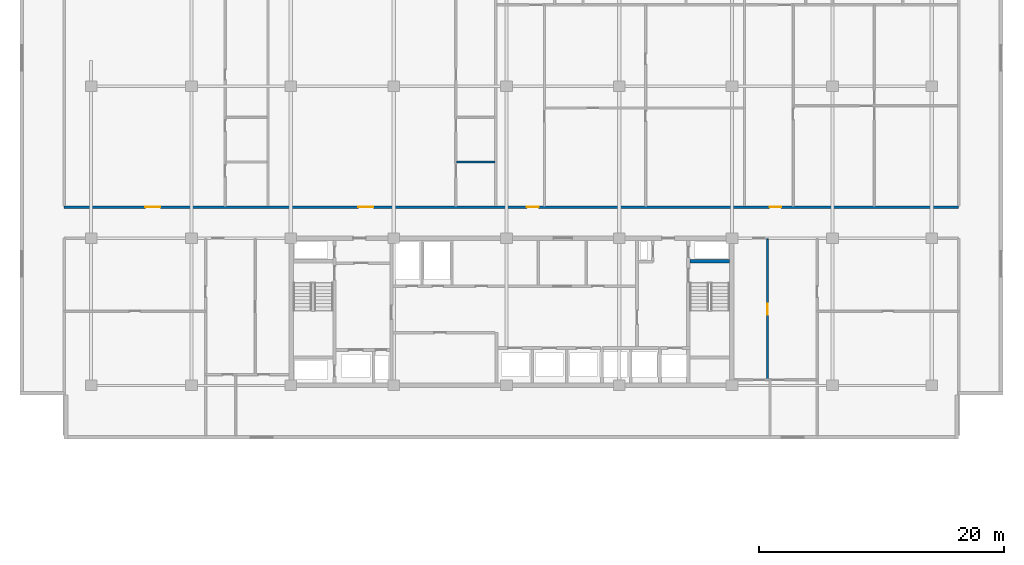
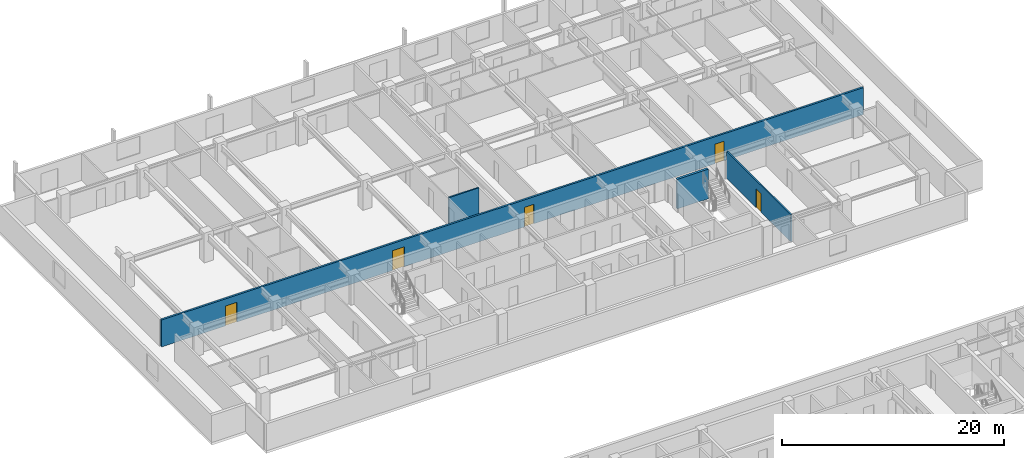
# One storey, part 13 of 22: 5 doors, 4 walls, 5 openings.
"""IFC4 building model written with IfcOpenShell, lengths in metres."""

from ifc_helpers import new_model, si_unit, direction, frame, frame_2d, origin, place, context, subcontext, project, spatial, rectangle, extrude, material, layer, layer_set, type_object, element, fill, save


model = new_model("IFC4")

# Units and contexts
model_context = context("Model", 3, precision=1e-05, world=origin(), true_north=direction((0.0, 1.0)))
body_context = subcontext(model_context, "Body", "Model", "MODEL_VIEW")
ifc_project = project(units=[si_unit("LENGTHUNIT", "METRE"), si_unit("AREAUNIT", "SQUARE_METRE"), si_unit("VOLUMEUNIT", "CUBIC_METRE"), si_unit("PLANEANGLEUNIT", "RADIAN"), si_unit("MASSUNIT", "GRAM", prefix="KILO")], contexts=[model_context])

# Site, building, storey
site_placement = place(None, origin())
site = spatial("IfcSite", under=ifc_project, at=site_placement, CompositionType="ELEMENT")
building_placement = place(site_placement, origin())
building = spatial("IfcBuilding", under=site, at=building_placement, Name="Korimba Cascade Residences", CompositionType="ELEMENT")
storey_placement = place(building_placement, frame((0.0, 0.0, 126.300048828125)))
storey = spatial("IfcBuildingStorey", under=building, at=storey_placement, Name="L36", CompositionType="ELEMENT", Elevation=126.300048828125)

# Wall, openings, doors
ifc_material_1 = material(Name="Precast concrete C40/50", Category="concrete")
ifc_layer_1 = layer(ifc_material_1, 0.199951171875)
ifc_layer_set_1 = layer_set([ifc_layer_1], Name="Precast concrete C40/50")
wall_type_1 = type_object("IfcWallType", Name="WAL-IT-200", PredefinedType="PARTITIONING", material=ifc_layer_set_1)
wall_1_placement = place(storey_placement, frame((57.60009765625, 69.75, 0.0), z_axis=(0.0, 0.0, 1.0), x_axis=(1.0, 0.0, 0.0)))
wall_1 = element("IfcWall", 1, at=wall_1_placement, inside=storey, type_object=wall_type_1, Name="L36 Partition Wall WAL-L36-T1-CORN", PredefinedType="PARTITIONING", context=body_context, shape_type="SweptSolid", body=[
    extrude(rectangle(XDim=73.0, YDim=0.199951171875, at=frame_2d((36.5, 0.0))), origin(), (0.0, 0.0, 1.0), 2.969970703125),
])
opening_1_placement = place(wall_1_placement, frame((6.628662109375, 0.0, 0.0)))
opening_1 = element("IfcOpeningElement", 2, at=opening_1_placement, cuts=wall_1, Name="Opening D-AM1", PredefinedType="OPENING", context=body_context, shape_type="SweptSolid", body=[
    extrude(rectangle(XDim=1.219970703125, YDim=2.179931640625, at=frame_2d((0.60986328125, 1.08984375))), frame((0.0, 0.10986328125, 0.0), z_axis=(0.0, -1.0, 0.0), x_axis=(1.0, 0.0, 0.0)), (0.0, 0.0, 1.0), 0.219970703125),
])
opening_2_placement = place(wall_1_placement, frame((24.022216796875, 0.0, 0.0)))
opening_2 = element("IfcOpeningElement", 3, at=opening_2_placement, cuts=wall_1, Name="Opening D-AM1", PredefinedType="OPENING", context=body_context, shape_type="SweptSolid", body=[
    extrude(rectangle(XDim=1.219970703125, YDim=2.179931640625, at=frame_2d((0.60986328125, 1.08984375))), frame((0.0, 0.10986328125, 0.0), z_axis=(0.0, -1.0, 0.0), x_axis=(1.0, 0.0, 0.0)), (0.0, 0.0, 1.0), 0.219970703125),
])
opening_3_placement = place(wall_1_placement, frame((37.767578125, 0.0, 0.0)))
opening_3 = element("IfcOpeningElement", 4, at=opening_3_placement, cuts=wall_1, Name="Opening D-UN1", PredefinedType="OPENING", context=body_context, shape_type="SweptSolid", body=[
    extrude(rectangle(XDim=0.949951171875, YDim=2.14990234375, at=frame_2d((0.47509765625, 1.074951171875))), frame((0.0, 0.10986328125, 0.0), z_axis=(0.0, -1.0, 0.0), x_axis=(1.0, 0.0, 0.0)), (0.0, 0.0, 1.0), 0.219970703125),
])
opening_4_placement = place(wall_1_placement, frame((57.570068359375, 0.0, 0.0)))
opening_4 = element("IfcOpeningElement", 5, at=opening_4_placement, cuts=wall_1, Name="Opening D-UN1", PredefinedType="OPENING", context=body_context, shape_type="SweptSolid", body=[
    extrude(rectangle(XDim=0.949951171875, YDim=2.14990234375, at=frame_2d((0.47509765625, 1.074951171875))), frame((0.0, 0.10986328125, 0.0), z_axis=(0.0, -1.0, 0.0), x_axis=(1.0, 0.0, 0.0)), (0.0, 0.0, 1.0), 0.219970703125),
])
ifc_material_2 = material(Name="Fire-Rated Glazed Timber Suite Door", Category="wood")
door_type_1 = type_object("IfcDoorType", Name="DR-FD60-1200", OperationType="NOTDEFINED", PredefinedType="DOOR", material=ifc_material_2)
door_1_placement = place(opening_1_placement, origin())
door_1 = element("IfcDoor", 6, at=door_1_placement, inside=storey, type_object=door_type_1, Name="L36-T1-U01 Business Collaboration Office Door", OperationType="SINGLE_SWING_LEFT", OverallHeight=2.179931640625, OverallWidth=1.219970703125, PredefinedType="DOOR", context=body_context, shape_type="SweptSolid", body=[
    extrude(rectangle(XDim=1.219970703125, YDim=2.179931640625, at=frame_2d((0.60986328125, 1.08984375))), frame((0.0, 0.02490234375, 0.0), z_axis=(0.0, -1.0, 0.0), x_axis=(1.0, 0.0, 0.0)), (0.0, 0.0, 1.0), 0.050048828125),
])
fill(opening_1, door_1)
door_2_placement = place(opening_2_placement, origin())
door_2 = element("IfcDoor", 7, at=door_2_placement, inside=storey, type_object=door_type_1, Name="L36-T1-U02 Resident Conference Room Door", OperationType="SINGLE_SWING_RIGHT", OverallHeight=2.179931640625, OverallWidth=1.219970703125, PredefinedType="DOOR", context=body_context, shape_type="SweptSolid", body=[
    extrude(rectangle(XDim=1.219970703125, YDim=2.179931640625, at=frame_2d((0.60986328125, 1.08984375))), frame((0.0, 0.02490234375, 0.0), z_axis=(0.0, -1.0, 0.0), x_axis=(1.0, 0.0, 0.0)), (0.0, 0.0, 1.0), 0.050048828125),
])
fill(opening_2, door_2)
ifc_material_3 = material(Name="Fire-Rated Hardwood Apartment Entrance Door", Category="wood")
door_type_2 = type_object("IfcDoorType", Name="DR-FD60-950", OperationType="NOTDEFINED", PredefinedType="DOOR", material=ifc_material_3)
door_3_placement = place(opening_3_placement, origin())
door_3 = element("IfcDoor", 8, at=door_3_placement, inside=storey, type_object=door_type_2, Name="Unit L36-T1-U03 Entrance Door", OperationType="SINGLE_SWING_LEFT", OverallHeight=2.14990234375, OverallWidth=0.949951171875, PredefinedType="DOOR", context=body_context, shape_type="SweptSolid", body=[
    extrude(rectangle(XDim=0.949951171875, YDim=2.14990234375, at=frame_2d((0.47509765625, 1.074951171875))), frame((0.0, 0.02490234375, 0.0), z_axis=(0.0, -1.0, 0.0), x_axis=(1.0, 0.0, 0.0)), (0.0, 0.0, 1.0), 0.050048828125),
])
fill(opening_3, door_3)
door_4_placement = place(opening_4_placement, origin())
door_4 = element("IfcDoor", 9, at=door_4_placement, inside=storey, type_object=door_type_2, Name="Unit L36-T1-U04 Entrance Door", OperationType="SINGLE_SWING_RIGHT", OverallHeight=2.14990234375, OverallWidth=0.949951171875, PredefinedType="DOOR", context=body_context, shape_type="SweptSolid", body=[
    extrude(rectangle(XDim=0.949951171875, YDim=2.14990234375, at=frame_2d((0.47509765625, 1.074951171875))), frame((0.0, 0.02490234375, 0.0), z_axis=(0.0, -1.0, 0.0), x_axis=(1.0, 0.0, 0.0)), (0.0, 0.0, 1.0), 0.050048828125),
])
fill(opening_4, door_4)

# Wall, opening, door
ifc_material_4 = material(Name="Insulated Acoustic Stud Partition", Category="gypsum")
ifc_layer_2 = layer(ifc_material_4, 0.14990234375)
ifc_layer_set_2 = layer_set([ifc_layer_2], Name="Insulated Acoustic Stud Partition")
wall_type_2 = type_object("IfcWallType", Name="WAL-PART-150", PredefinedType="PARTITIONING", material=ifc_layer_set_2)
wall_2_placement = place(storey_placement, frame((115.0, 55.64990234375, 0.0), z_axis=(0.0, 0.0, 1.0), x_axis=(0.0, 1.0, 0.0)))
wall_2 = element("IfcWall", 10, at=wall_2_placement, inside=storey, type_object=wall_type_2, Name="L36 Partition Wall WAL-L36-T1-FE-VN", PredefinedType="PARTITIONING", context=body_context, shape_type="SweptSolid", body=[
    extrude(rectangle(XDim=11.5, YDim=0.14990234375, at=frame_2d((5.75, 0.0))), origin(), (0.0, 0.0, 1.0), 2.969970703125),
])
opening_5_placement = place(wall_2_placement, frame((5.2900390625, 0.0, 0.0)))
opening_5 = element("IfcOpeningElement", 11, at=opening_5_placement, cuts=wall_2, Name="Opening D-IN1", PredefinedType="OPENING", context=body_context, shape_type="SweptSolid", body=[
    extrude(rectangle(XDim=0.919921875, YDim=2.080078125, at=frame_2d((0.4599609375, 1.0400390625))), frame((0.0, 0.0849609375, 0.0), z_axis=(0.0, -1.0, 0.0), x_axis=(1.0, 0.0, 0.0)), (0.0, 0.0, 1.0), 0.169921875),
])
ifc_material_5 = material(Name="Acoustic Timber Living Door", Category="wood")
door_type_3 = type_object("IfcDoorType", Name="DR-INT-920", OperationType="NOTDEFINED", PredefinedType="DOOR", material=ifc_material_5)
door_5_placement = place(opening_5_placement, origin())
door_5 = element("IfcDoor", 12, at=door_5_placement, inside=storey, type_object=door_type_3, Name="L36-T1-FE Living Door", OperationType="SINGLE_SWING_LEFT", OverallHeight=2.080078125, OverallWidth=0.919921875, PredefinedType="DOOR", context=body_context, shape_type="SweptSolid", body=[
    extrude(rectangle(XDim=0.919921875, YDim=2.080078125, at=frame_2d((0.4599609375, 1.0400390625))), frame((0.0, 0.02490234375, 0.0), z_axis=(0.0, -1.0, 0.0), x_axis=(1.0, 0.0, 0.0)), (0.0, 0.0, 1.0), 0.050048828125),
])
fill(opening_5, door_5)

# Walls
wall_3_placement = place(storey_placement, frame((89.62744140625, 73.419921875, 0.0), z_axis=(0.0, 0.0, 1.0), x_axis=(1.0, 0.0, 0.0)))
element("IfcWall", 13, at=wall_3_placement, inside=storey, type_object=wall_type_2, Name="L36 Partition Wall WAL-L36-T1-U02-WCH", PredefinedType="PARTITIONING", context=body_context, shape_type="SweptSolid", body=[
    extrude(rectangle(XDim=3.130126953125, YDim=0.14990234375, at=frame_2d((1.56494140625, 0.0))), origin(), (0.0, 0.0, 1.0), 2.969970703125),
])
ifc_material_6 = material(Name="Concrete C50/60", Category="concrete")
ifc_layer_3 = layer(ifc_material_6, 0.25)
ifc_layer_set_3 = layer_set([ifc_layer_3], Name="Concrete C50/60")
wall_type_3 = type_object("IfcWallType", Name="WAL-SHAFT-250", PredefinedType="SHEAR", material=ifc_layer_set_3)
wall_4_placement = place(storey_placement, frame((108.659912109375, 65.324951171875, 0.0), z_axis=(0.0, 0.0, 1.0), x_axis=(1.0, 0.0, 0.0)))
element("IfcWall", 14, at=wall_4_placement, inside=storey, type_object=wall_type_3, Name="L36 Core Shear Wall CW-L36-T1-STW2N", PredefinedType="SHEAR", context=body_context, shape_type="SweptSolid", body=[
    extrude(rectangle(XDim=3.239990234375, YDim=0.25, at=frame_2d((1.6201171875, 0.0))), origin(), (0.0, 0.0, 1.0), 3.25),
])

save(model, "model.ifc")
